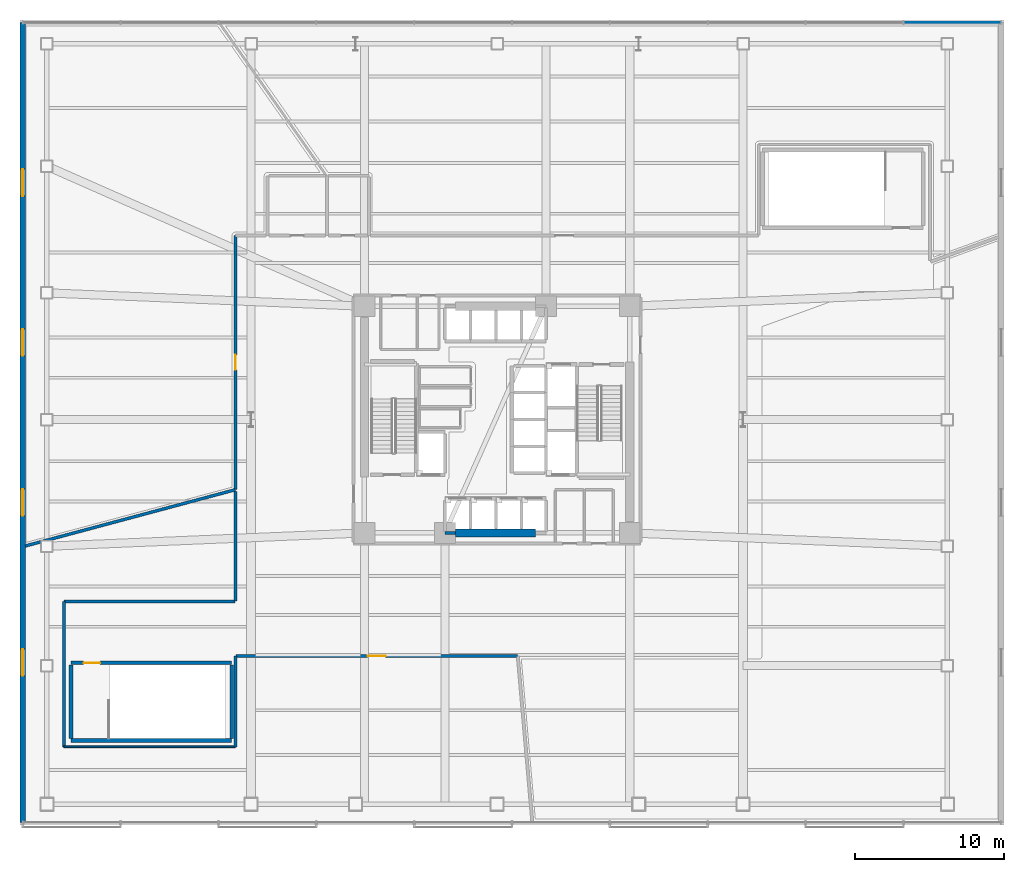
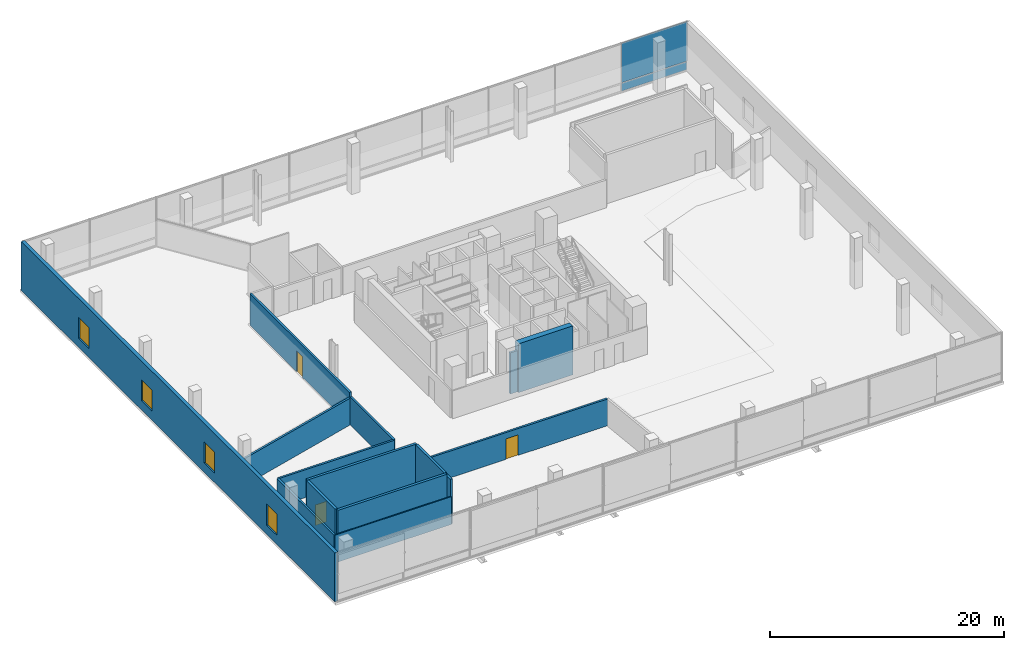
# One storey, part 11 of 19: 15 walls, 4 windows, 3 doors, 2 plates, 7 openings, 1 element without a shape of its own.
"""IFC4 building model written with IfcOpenShell, lengths in metres."""

from ifc_helpers import new_model, si_unit, direction, frame, frame_2d, origin, origin_2d, place, context, subcontext, project, spatial, rectangle, extrude, material, layer, layer_set, type_object, element, fill, aggregate, save


model = new_model("IFC4")

# Units and contexts
model_context = context("Model", 3, precision=1e-05, world=origin(), true_north=direction((0.0, 1.0)))
body_context = subcontext(model_context, "Body", "Model", "MODEL_VIEW")
ifc_project = project(units=[si_unit("LENGTHUNIT", "METRE"), si_unit("AREAUNIT", "SQUARE_METRE"), si_unit("VOLUMEUNIT", "CUBIC_METRE"), si_unit("PLANEANGLEUNIT", "RADIAN"), si_unit("MASSUNIT", "GRAM", prefix="KILO")], contexts=[model_context])

# Site, building, storey
site_placement = place(None, origin())
site = spatial("IfcSite", under=ifc_project, at=site_placement, CompositionType="ELEMENT")
building_placement = place(site_placement, origin())
building = spatial("IfcBuilding", under=site, at=building_placement, Name="Tharavind Bronze Gate", CompositionType="ELEMENT")
storey_placement = place(building_placement, frame((0.0, 0.0, 26.5)))
storey = spatial("IfcBuildingStorey", under=building, at=storey_placement, Name="L05", CompositionType="ELEMENT", Elevation=26.5)

# Curtain wall, plates
ifc_material_1 = material(Name="Anodised Bronze Aluminium", Category="aluminium")
ifc_layer_1 = layer(ifc_material_1, 0.219970703125)
ifc_layer_set_1 = layer_set([ifc_layer_1], Name="Anodised Bronze Aluminium")
curtain_wall_type = type_object("IfcCurtainWallType", Name="UNITISED CURTAIN WALL PODIUM", PredefinedType="USERDEFINED", material=ifc_layer_set_1)
curtain_wall_placement = place(storey_placement, origin())
curtain_wall = element("IfcCurtainWall", 1, at=curtain_wall_placement, inside=storey, type_object=curtain_wall_type, Name="L05 unitised curtain wall podium CW-L05-S2", ObjectType="UNITISED CURTAIN WALL", PredefinedType="USERDEFINED")
ifc_material_2 = material(Name="Patinated Bronze Alloy Sheet", Category="bronze")
ifc_layer_2 = layer(ifc_material_2, 0.01611328125)
ifc_layer_set_2 = layer_set([ifc_layer_2], Name="Patinated Bronze Alloy Sheet")
plate_type_1 = type_object("IfcPlateType", Name="BRONZE SPANDREL CLADDING PANEL 16", PredefinedType="CURTAIN_PANEL", material=ifc_layer_set_2)
plate_1_placement = place(storey_placement, frame((30.5380859375, 26.6201171875, 0.033935546875), z_axis=(0.0, 0.0, 1.0), x_axis=(-1.0, 0.0, 0.0)))
plate_1 = element("IfcPlate", 2, at=plate_1_placement, type_object=plate_type_1, Name="CW-L05-S2 bronze spandrel panel 1", PredefinedType="CURTAIN_PANEL", context=body_context, shape_type="SweptSolid", body=[
    extrude(rectangle(XDim=6.49609375, YDim=0.01611328125, at=origin_2d()), origin(), (0.0, 0.0, 1.0), 0.83203125),
])
ifc_material_3 = material(Name="Low-E Double Glazing", Category="glass")
ifc_layer_3 = layer(ifc_material_3, 0.031982421875)
ifc_layer_set_3 = layer_set([ifc_layer_3], Name="Low-E Double Glazing")
plate_type_2 = type_object("IfcPlateType", Name="DOUBLE GLAZED FACADE PANEL 32", PredefinedType="CURTAIN_PANEL", material=ifc_layer_set_3)
plate_2_placement = place(storey_placement, frame((30.5380859375, 26.6201171875, 0.93408203125), z_axis=(0.0, 0.0, 1.0), x_axis=(-1.0, 0.0, 0.0)))
plate_2 = element("IfcPlate", 3, at=plate_2_placement, type_object=plate_type_2, Name="CW-L05-S2 vision glazing panel 1", PredefinedType="CURTAIN_PANEL", context=body_context, shape_type="SweptSolid", body=[
    extrude(rectangle(XDim=6.49609375, YDim=0.031982421875, at=origin_2d()), origin(), (0.0, 0.0, 1.0), 4.136962890625),
])
aggregate(curtain_wall, [plate_1, plate_2])

# Wall, openings, windows
ifc_material_4 = material(Name="Concrete C40/50", Category="concrete")
ifc_layer_4 = layer(ifc_material_4, 0.35009765625)
ifc_layer_set_4 = layer_set([ifc_layer_4], Name="Concrete C40/50")
wall_type_1 = type_object("IfcWallType", Name="EXTERIOR SPANDREL WALL 350", PredefinedType="STANDARD", material=ifc_layer_set_4)
wall_1_placement = place(storey_placement, frame((-31.820068359375, 26.6201171875, 0.0), z_axis=(0.0, 0.0, 1.0), x_axis=(0.0, -1.0, 0.0)))
wall_1 = element("IfcWall", 4, at=wall_1_placement, inside=storey, type_object=wall_type_1, Name="L05 upper podium west wall", PredefinedType="STANDARD", context=body_context, shape_type="SweptSolid", body=[
    extrude(rectangle(XDim=53.64013671875, YDim=0.35009765625, at=frame_2d((26.820068359375, 0.0))), origin(), (0.0, 0.0, 1.0), 5.10498046875),
])
opening_1_placement = place(wall_1_placement, frame((9.827880859375, 0.0, 0.949951171875)))
opening_1 = element("IfcOpeningElement", 5, at=opening_1_placement, cuts=wall_1, Name="Opening W02", PredefinedType="OPENING", context=body_context, shape_type="SweptSolid", body=[
    extrude(rectangle(XDim=1.800048828125, YDim=2.199951171875, at=frame_2d((0.89990234375, 1.10009765625))), frame((0.0, 0.185048828125, 0.0), z_axis=(0.0, -1.0, 0.0), x_axis=(1.0, 0.0, 0.0)), (0.0, 0.0, 1.0), 0.37009765625),
])
opening_2_placement = place(wall_1_placement, frame((20.555908203125, 0.0, 0.949951171875)))
opening_2 = element("IfcOpeningElement", 6, at=opening_2_placement, cuts=wall_1, Name="Opening W02", PredefinedType="OPENING", context=body_context, shape_type="SweptSolid", body=[
    extrude(rectangle(XDim=1.800048828125, YDim=2.199951171875, at=frame_2d((0.89990234375, 1.10009765625))), frame((0.0, 0.185048828125, 0.0), z_axis=(0.0, -1.0, 0.0), x_axis=(1.0, 0.0, 0.0)), (0.0, 0.0, 1.0), 0.37009765625),
])
opening_3_placement = place(wall_1_placement, frame((31.283935546875, 0.0, 0.949951171875)))
opening_3 = element("IfcOpeningElement", 7, at=opening_3_placement, cuts=wall_1, Name="Opening W02", PredefinedType="OPENING", context=body_context, shape_type="SweptSolid", body=[
    extrude(rectangle(XDim=1.800048828125, YDim=2.199951171875, at=frame_2d((0.89990234375, 1.10009765625))), frame((0.0, 0.185048828125, 0.0), z_axis=(0.0, -1.0, 0.0), x_axis=(1.0, 0.0, 0.0)), (0.0, 0.0, 1.0), 0.37009765625),
])
opening_4_placement = place(wall_1_placement, frame((42.011962890625, 0.0, 0.949951171875)))
opening_4 = element("IfcOpeningElement", 8, at=opening_4_placement, cuts=wall_1, Name="Opening W02", PredefinedType="OPENING", context=body_context, shape_type="SweptSolid", body=[
    extrude(rectangle(XDim=1.800048828125, YDim=2.199951171875, at=frame_2d((0.89990234375, 1.10009765625))), frame((0.0, 0.185048828125, 0.0), z_axis=(0.0, -1.0, 0.0), x_axis=(1.0, 0.0, 0.0)), (0.0, 0.0, 1.0), 0.37009765625),
])
ifc_material_5 = material(Name="Bronze Aluminium & Low-E Glass", Category="aluminium")
window_type = type_object("IfcWindowType", Name="DOUBLE PANEL BRONZE WINDOW 1800X2200", PartitioningType="DOUBLE_PANEL_VERTICAL", PredefinedType="WINDOW", material=ifc_material_5)
window_1_placement = place(opening_1_placement, origin())
window_1 = element("IfcWindow", 9, at=window_1_placement, inside=storey, type_object=window_type, Name="L05 exterior window WL-L05-WE-01", OverallHeight=2.199951171875, OverallWidth=1.800048828125, PartitioningType="SINGLE_PANEL", PredefinedType="WINDOW", context=body_context, shape_type="SweptSolid", body=[
    extrude(rectangle(XDim=1.800048828125, YDim=2.199951171875, at=frame_2d((0.89990234375, 1.10009765625))), frame((0.0, 0.030029296875, 0.0), z_axis=(0.0, -1.0, 0.0), x_axis=(1.0, 0.0, 0.0)), (0.0, 0.0, 1.0), 0.06005859375),
])
fill(opening_1, window_1)
window_2_placement = place(opening_2_placement, origin())
window_2 = element("IfcWindow", 10, at=window_2_placement, inside=storey, type_object=window_type, Name="L05 exterior window WL-L05-WE-02", OverallHeight=2.199951171875, OverallWidth=1.800048828125, PartitioningType="SINGLE_PANEL", PredefinedType="WINDOW", context=body_context, shape_type="SweptSolid", body=[
    extrude(rectangle(XDim=1.800048828125, YDim=2.199951171875, at=frame_2d((0.89990234375, 1.10009765625))), frame((0.0, 0.030029296875, 0.0), z_axis=(0.0, -1.0, 0.0), x_axis=(1.0, 0.0, 0.0)), (0.0, 0.0, 1.0), 0.06005859375),
])
fill(opening_2, window_2)
window_3_placement = place(opening_3_placement, origin())
window_3 = element("IfcWindow", 11, at=window_3_placement, inside=storey, type_object=window_type, Name="L05 exterior window WL-L05-WE-03", OverallHeight=2.199951171875, OverallWidth=1.800048828125, PartitioningType="SINGLE_PANEL", PredefinedType="WINDOW", context=body_context, shape_type="SweptSolid", body=[
    extrude(rectangle(XDim=1.800048828125, YDim=2.199951171875, at=frame_2d((0.89990234375, 1.10009765625))), frame((0.0, 0.030029296875, 0.0), z_axis=(0.0, -1.0, 0.0), x_axis=(1.0, 0.0, 0.0)), (0.0, 0.0, 1.0), 0.06005859375),
])
fill(opening_3, window_3)
window_4_placement = place(opening_4_placement, origin())
window_4 = element("IfcWindow", 12, at=window_4_placement, inside=storey, type_object=window_type, Name="L05 exterior window WL-L05-WE-04", OverallHeight=2.199951171875, OverallWidth=1.800048828125, PartitioningType="SINGLE_PANEL", PredefinedType="WINDOW", context=body_context, shape_type="SweptSolid", body=[
    extrude(rectangle(XDim=1.800048828125, YDim=2.199951171875, at=frame_2d((0.89990234375, 1.10009765625))), frame((0.0, 0.030029296875, 0.0), z_axis=(0.0, -1.0, 0.0), x_axis=(1.0, 0.0, 0.0)), (0.0, 0.0, 1.0), 0.06005859375),
])
fill(opening_4, window_4)

# Wall, opening, door
ifc_material_6 = material(Name="Aerated Concrete Block", Category="concrete")
ifc_layer_5 = layer(ifc_material_6, 0.199951171875)
ifc_layer_set_5 = layer_set([ifc_layer_5], Name="Aerated Concrete Block")
wall_type_2 = type_object("IfcWallType", Name="FIRE RATED PARTITION 200", PredefinedType="PARTITIONING", material=ifc_layer_set_5)
wall_2_placement = place(storey_placement, frame((-17.550048828125, 12.349365234375, 0.0), z_axis=(0.0, 0.0, 1.0), x_axis=(0.0, -1.0, 0.0)))
wall_2 = element("IfcWall", 13, at=wall_2_placement, inside=storey, type_object=wall_type_2, Name="L05 Simultaneous Interpretation Office partition", PredefinedType="PARTITIONING", context=body_context, shape_type="SweptSolid", body=[
    extrude(rectangle(XDim=17.03271484375, YDim=0.199951171875, at=frame_2d((8.516357421875, 0.0))), origin(), (0.0, 0.0, 1.0), 3.300048828125),
])
opening_5_placement = place(wall_2_placement, frame((8.01611328125, 0.0, 0.0)))
opening_5 = element("IfcOpeningElement", 14, at=opening_5_placement, cuts=wall_2, Name="Opening ID04", PredefinedType="OPENING", context=body_context, shape_type="SweptSolid", body=[
    extrude(rectangle(XDim=1.0, YDim=2.14990234375, at=frame_2d((0.5, 1.074951171875))), frame((0.0, 0.11009765625, 0.0), z_axis=(0.0, -1.0, 0.0), x_axis=(1.0, 0.0, 0.0)), (0.0, 0.0, 1.0), 0.219951171875),
])
ifc_material_7 = material(Name="Bronze Framed Acoustic Timber", Category="wood")
door_type_1 = type_object("IfcDoorType", Name="OFFICE TENANCY DOOR 1000X2150", OperationType="SINGLE_SWING_RIGHT", PredefinedType="DOOR", material=ifc_material_7)
door_1_placement = place(opening_5_placement, origin())
door_1 = element("IfcDoor", 15, at=door_1_placement, inside=storey, type_object=door_type_1, Name="L05 Simultaneous Interpretation Office door", OperationType="SINGLE_SWING_RIGHT", OverallHeight=2.14990234375, OverallWidth=1.0, PredefinedType="DOOR", context=body_context, shape_type="SweptSolid", body=[
    extrude(rectangle(XDim=1.0, YDim=2.14990234375, at=frame_2d((0.5, 1.074951171875))), frame((0.0, 0.02490234375, 0.0), z_axis=(0.0, -1.0, 0.0), x_axis=(1.0, 0.0, 0.0)), (0.0, 0.0, 1.0), 0.050048828125),
])
fill(opening_5, door_1)

# Walls
wall_3_placement = place(storey_placement, frame((-17.568603515625, -4.70751953125, 0.0), z_axis=(0.0, 0.0, 1.0), x_axis=(-0.965928003493, -0.258810919529, 0.0)))
element("IfcWall", 16, at=wall_3_placement, inside=storey, type_object=wall_type_2, Name="L05 Simultaneous Interpretation Office partition", PredefinedType="PARTITIONING", context=body_context, shape_type="SweptSolid", body=[
    extrude(rectangle(XDim=14.567626953125, YDim=0.199951171875, at=frame_2d((7.28369140625, 0.0))), origin(), (0.0, 0.0, 1.0), 2.800048828125),
])
wall_4_placement = place(storey_placement, frame((-17.550048828125, -4.811279296875, 0.0), z_axis=(0.0, 0.0, 1.0), x_axis=(0.0, -1.0, 0.0)))
element("IfcWall", 17, at=wall_4_placement, inside=storey, type_object=wall_type_2, Name="L05 Press & Broadcast Media Lounge partition", PredefinedType="PARTITIONING", context=body_context, shape_type="SweptSolid", body=[
    extrude(rectangle(XDim=7.36376953125, YDim=0.199951171875, at=frame_2d((3.681884765625, 0.0))), origin(), (0.0, 0.0, 1.0), 2.89990234375),
])
wall_5_placement = place(storey_placement, frame((-17.574951171875, -12.199951171875, 0.0), z_axis=(0.0, 0.0, 1.0), x_axis=(-1.0, 0.0, 0.0)))
element("IfcWall", 18, at=wall_5_placement, inside=storey, type_object=wall_type_2, Name="L05 Press & Broadcast Media Lounge partition", PredefinedType="PARTITIONING", context=body_context, shape_type="SweptSolid", body=[
    extrude(rectangle(XDim=11.474365234375, YDim=0.199951171875, at=frame_2d((5.7373046875, 0.0))), origin(), (0.0, 0.0, 1.0), 2.89990234375),
])
wall_6_placement = place(storey_placement, frame((-29.050048828125, -12.20068359375, 0.0), z_axis=(0.0, 0.0, 1.0), x_axis=(0.0, -1.0, 0.0)))
element("IfcWall", 19, at=wall_6_placement, inside=storey, type_object=wall_type_2, Name="L05 Press & Broadcast Media Lounge partition", PredefinedType="PARTITIONING", context=body_context, shape_type="SweptSolid", body=[
    extrude(rectangle(XDim=9.748779296875, YDim=0.199951171875, at=frame_2d((4.87451171875, 0.0))), origin(), (0.0, 0.0, 1.0), 2.89990234375),
])
wall_7_placement = place(storey_placement, frame((-17.550048828125, -21.949462890625, 0.0), z_axis=(0.0, 0.0, 1.0), x_axis=(0.0, 1.0, 0.0)))
element("IfcWall", 20, at=wall_7_placement, inside=storey, type_object=wall_type_2, Name="L05 Press & Broadcast Media Lounge partition", PredefinedType="PARTITIONING", context=body_context, shape_type="SweptSolid", body=[
    extrude(rectangle(XDim=6.074462890625, YDim=0.199951171875, at=frame_2d((3.037109375, 0.0))), origin(), (0.0, 0.0, 1.0), 4.699951171875),
])

# Wall, opening, door
wall_8_placement = place(storey_placement, frame((-17.52490234375, -15.85009765625, 0.0), z_axis=(0.0, 0.0, 1.0), x_axis=(1.0, 0.0, 0.0)))
wall_8 = element("IfcWall", 21, at=wall_8_placement, inside=storey, type_object=wall_type_2, Name="L05 Press & Broadcast Media Lounge partition", PredefinedType="PARTITIONING", context=body_context, shape_type="SweptSolid", body=[
    extrude(rectangle(XDim=18.888671875, YDim=0.199951171875, at=frame_2d((9.4443359375, 0.0))), origin(), (0.0, 0.0, 1.0), 2.800048828125),
])
opening_6_placement = place(wall_8_placement, frame((8.843994140625, 0.0, 0.0)))
opening_6 = element("IfcOpeningElement", 22, at=opening_6_placement, cuts=wall_8, Name="Opening ID05", PredefinedType="OPENING", context=body_context, shape_type="SweptSolid", body=[
    extrude(rectangle(XDim=1.199951171875, YDim=2.14990234375, at=frame_2d((0.60009765625, 1.074951171875))), frame((0.0, 0.11009765625, 0.0), z_axis=(0.0, -1.0, 0.0), x_axis=(1.0, 0.0, 0.0)), (0.0, 0.0, 1.0), 0.219951171875),
])
ifc_material_8 = material(Name="Acoustic Laminated Glass", Category="glass")
door_type_2 = type_object("IfcDoorType", Name="MEETING ROOM GLAZED DOOR 1200X2150", OperationType="SINGLE_SWING_LEFT", PredefinedType="DOOR", material=ifc_material_8)
door_2_placement = place(opening_6_placement, origin())
door_2 = element("IfcDoor", 23, at=door_2_placement, inside=storey, type_object=door_type_2, Name="L05 Press & Broadcast Media Lounge door", OperationType="SINGLE_SWING_LEFT", OverallHeight=2.14990234375, OverallWidth=1.199951171875, PredefinedType="DOOR", context=body_context, shape_type="SweptSolid", body=[
    extrude(rectangle(XDim=1.199951171875, YDim=2.14990234375, at=frame_2d((0.60009765625, 1.074951171875))), frame((0.0, 0.02490234375, 0.0), z_axis=(0.0, -1.0, 0.0), x_axis=(1.0, 0.0, 0.0)), (0.0, 0.0, 1.0), 0.050048828125),
])
fill(opening_6, door_2)

# Wall
ifc_material_9 = material(Name="Metal Stud Gypsum Partition", Category="gypsum")
ifc_layer_6 = layer(ifc_material_9, 0.1201171875)
ifc_layer_set_6 = layer_set([ifc_layer_6], Name="Metal Stud Gypsum Partition")
wall_type_3 = type_object("IfcWallType", Name="INTERIOR PARTITION WALL 120", PredefinedType="PARTITIONING", material=ifc_layer_set_6)
wall_9_placement = place(storey_placement, frame((-29.04931640625, -21.949951171875, 0.0), z_axis=(0.0, 0.0, 1.0), x_axis=(1.0, 0.0, 0.0)))
element("IfcWall", 24, at=wall_9_placement, inside=storey, type_object=wall_type_3, Name="L05 Press & Broadcast Media Lounge partition", PredefinedType="PARTITIONING", context=body_context, shape_type="SweptSolid", body=[
    extrude(rectangle(XDim=11.498779296875, YDim=0.1201171875, at=frame_2d((5.74951171875, 0.0))), origin(), (0.0, 0.0, 1.0), 2.89990234375),
])

# Wall, opening, door
ifc_material_10 = material(Name="Concrete C50/60", Category="concrete")
ifc_layer_7 = layer(ifc_material_10, 0.25)
ifc_layer_set_7 = layer_set([ifc_layer_7], Name="Concrete C50/60")
wall_type_4 = type_object("IfcWallType", Name="RC CORE SHEAR WALL 250", PredefinedType="SHEAR", material=ifc_layer_set_7)
wall_10_placement = place(storey_placement, frame((-28.580078125, -16.320068359375, 0.0), z_axis=(0.0, 0.0, 1.0), x_axis=(1.0, 0.0, 0.0)))
wall_10 = element("IfcWall", 25, at=wall_10_placement, inside=storey, type_object=wall_type_4, Name="L05 ST3 north wall", PredefinedType="SHEAR", context=body_context, shape_type="SweptSolid", body=[
    extrude(rectangle(XDim=10.780029296875, YDim=0.25, at=frame_2d((5.39013671875, 0.0))), origin(), (0.0, 0.0, 1.0), 5.10498046875),
])
opening_7_placement = place(wall_10_placement, frame((0.85009765625, 0.0, 0.0)))
opening_7 = element("IfcOpeningElement", 26, at=opening_7_placement, cuts=wall_10, Name="Opening ID01", PredefinedType="OPENING", context=body_context, shape_type="SweptSolid", body=[
    extrude(rectangle(XDim=1.10009765625, YDim=2.14990234375, at=frame_2d((0.550048828125, 1.074951171875))), frame((0.0, 0.135, 0.0), z_axis=(0.0, -1.0, 0.0), x_axis=(1.0, 0.0, 0.0)), (0.0, 0.0, 1.0), 0.27),
])
ifc_material_11 = material(Name="Fire-Rated Steel", Category="steel")
door_type_3 = type_object("IfcDoorType", Name="STAIR CORE FIRE DOOR 1100X2150", OperationType="SINGLE_SWING_LEFT", PredefinedType="DOOR", material=ifc_material_11)
door_3_placement = place(opening_7_placement, frame((1.10009765625, 0.0, 0.0), z_axis=(0.0, 0.0, 1.0), x_axis=(-1.0, 0.0, 0.0)))
door_3 = element("IfcDoor", 27, at=door_3_placement, inside=storey, type_object=door_type_3, Name="L05 podium stair ST3 fire door", OperationType="SINGLE_SWING_LEFT", OverallHeight=2.14990234375, OverallWidth=1.10009765625, PredefinedType="DOOR", context=body_context, shape_type="SweptSolid", body=[
    extrude(rectangle(XDim=1.10009765625, YDim=2.14990234375, at=frame_2d((0.550048828125, 1.074951171875))), frame((0.0, 0.02490234375, 0.0), z_axis=(0.0, -1.0, 0.0), x_axis=(1.0, 0.0, 0.0)), (0.0, 0.0, 1.0), 0.050048828125),
])
fill(opening_7, door_3)

# Walls
wall_11_placement = place(storey_placement, frame((-28.580078125, -21.530029296875, 0.0), z_axis=(0.0, 0.0, 1.0), x_axis=(1.0, 0.0, 0.0)))
element("IfcWall", 28, at=wall_11_placement, inside=storey, type_object=wall_type_4, Name="L05 ST3 south wall", PredefinedType="SHEAR", context=body_context, shape_type="SweptSolid", body=[
    extrude(rectangle(XDim=10.780029296875, YDim=0.25, at=frame_2d((5.39013671875, 0.0))), origin(), (0.0, 0.0, 1.0), 5.10498046875),
])
for number, where, z_axis, x_axis, name in (
    (29, (-28.580078125, -21.3798828125, 0.0), (0.0, 0.0, 1.0), (0.0, 1.0, 0.0), "L05 ST3 west wall"),
    (30, (-17.800048828125, -21.3798828125, 0.0), (0.0, 0.0, 1.0), (0.0, 1.0, 0.0), "L05 ST3 east wall"),
):
    element("IfcWall", number, at=place(storey_placement, frame(where, z_axis=z_axis, x_axis=x_axis)), inside=storey, type_object=wall_type_4, Name=name, PredefinedType="SHEAR", context=body_context, shape_type="SweptSolid", body=[
        extrude(rectangle(XDim=4.909912109375, YDim=0.25, at=frame_2d((2.455078125, 0.0))), origin(), (0.0, 0.0, 1.0), 5.10498046875),
    ])
ifc_material_12 = material(Name="Concrete C60/75", Category="concrete")
ifc_layer_8 = layer(ifc_material_12, 0.550048828125)
ifc_layer_set_8 = layer_set([ifc_layer_8], Name="Concrete C60/75")
wall_type_5 = type_object("IfcWallType", Name="RC CORE SHEAR WALL 550", PredefinedType="SHEAR", material=ifc_layer_set_8)
wall_12_placement = place(storey_placement, frame((-2.800048828125, -7.60009765625, 0.0), z_axis=(0.0, 0.0, 1.0), x_axis=(1.0, 0.0, 0.0)))
element("IfcWall", 31, at=wall_12_placement, inside=storey, type_object=wall_type_5, Name="L05 south core shear wall", PredefinedType="SHEAR", context=body_context, shape_type="SweptSolid", body=[
    extrude(rectangle(XDim=5.380126953125, YDim=0.550048828125, at=frame_2d((2.68994140625, 0.0))), origin(), (0.0, 0.0, 1.0), 5.10498046875),
])
ifc_layer_9 = layer(ifc_material_4, 0.199951171875)
ifc_layer_set_9 = layer_set([ifc_layer_9], Name="Concrete C40/50")
wall_type_6 = type_object("IfcWallType", Name="SHAFT ENCLOSURE WALL 200", PredefinedType="PARTITIONING", material=ifc_layer_set_9)
wall_13_placement = place(storey_placement, frame((-3.5, -7.60009765625, 0.0), z_axis=(0.0, 0.0, 1.0), x_axis=(1.0, 0.0, 0.0)))
element("IfcWall", 32, at=wall_13_placement, inside=storey, type_object=wall_type_6, Name="L05 lift PL1 shaft S enclosure wall", PredefinedType="PARTITIONING", context=body_context, shape_type="SweptSolid", body=[
    extrude(rectangle(XDim=0.699951171875, YDim=0.199951171875, at=frame_2d((0.35009765625, 0.0))), origin(), (0.0, 0.0, 1.0), 4.300048828125),
])

save(model, "model.ifc")
